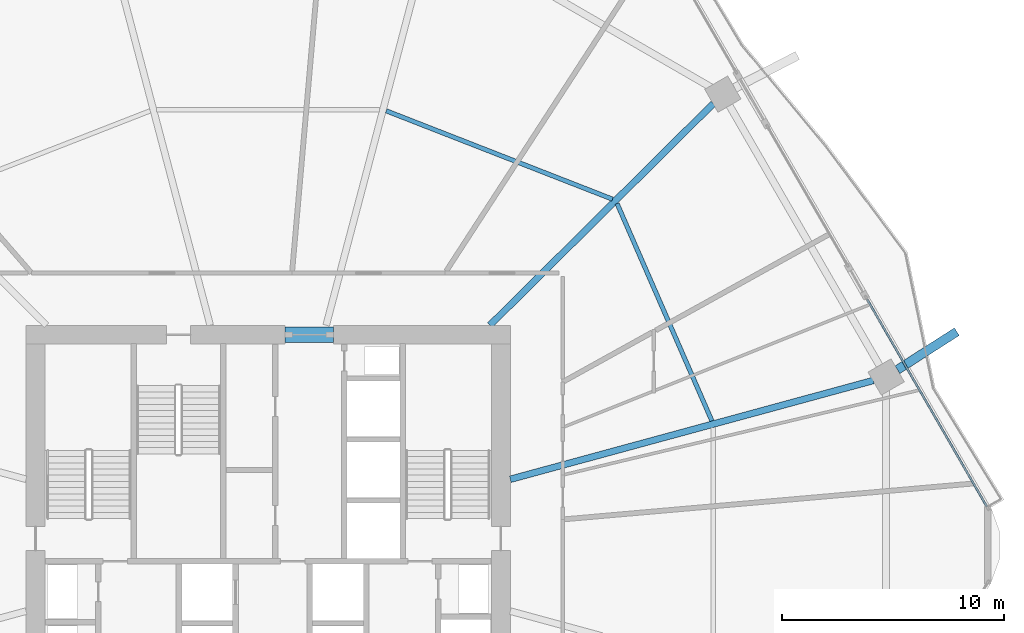
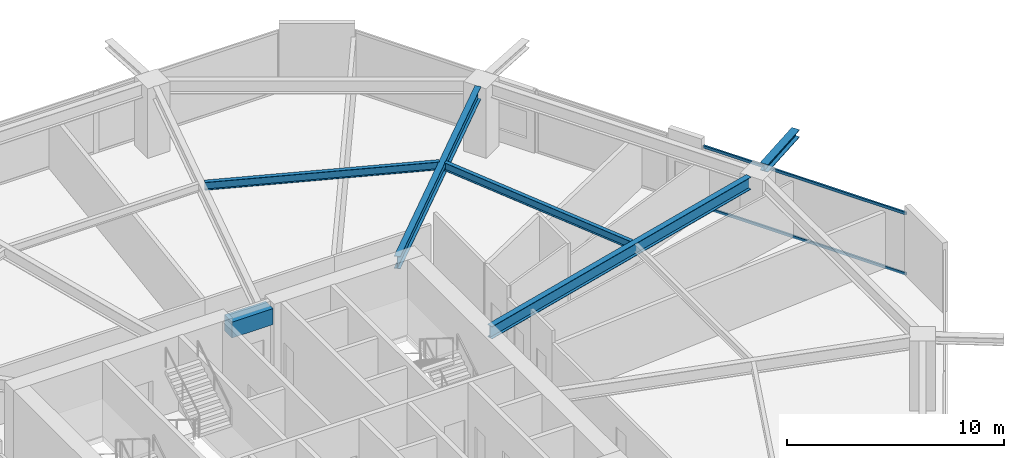
# One storey, part 16 of 27: 6 beams, 2 members, 1 element without a shape of its own.
"""IFC4 building model written with IfcOpenShell, lengths in metres."""

import ifcopenshell
import ifcopenshell.guid

model = None  # the IFC model being written
_history = None  # IfcOwnerHistory: only IFC2X3 demands one
_inside = {}  # id of a spatial element -> (the spatial element, [elements in it])
_under = {}  # id of a project, library or spatial element -> (it, [spatial elements below it])
_declared = {}  # id of a project -> (the project, [libraries it declares])
_typed = {}  # id of a type object -> (the type object, [elements of that type])
_made_of = {}  # id of a material, layer set ... -> (it, [elements and type objects made of it])


def new_model(schema):
    """Start an empty IFC model of exactly this schema.

    Asked for "IFC4X3", IfcOpenShell would pick the latest addendum, in which some entities
    have other attributes; the version numbers below select the first issue.
    IFC2X3 requires an IfcOwnerHistory on every rooted entity: one is made here for all.
    """
    global model, _history
    if schema == "IFC4X3":
        model = ifcopenshell.file(schema_version=(4, 3, 0, 0))
    else:
        model = ifcopenshell.file(schema=schema)
    _inside.clear()
    _under.clear()
    _declared.clear()
    _typed.clear()
    _made_of.clear()
    _history = None
    if model.schema == "IFC2X3":
        org = make("IfcOrganization", Name="unknown")
        user = make(
            "IfcPersonAndOrganization",
            ThePerson=make("IfcPerson", FamilyName="unknown"),
            TheOrganization=org,
        )
        app = make(
            "IfcApplication",
            ApplicationDeveloper=org,
            Version="unknown",
            ApplicationFullName="unknown",
            ApplicationIdentifier="unknown",
        )
        _history = make(
            "IfcOwnerHistory",
            OwningUser=user,
            OwningApplication=app,
            ChangeAction="ADDED",
            CreationDate=0,
        )
    return model


def make(cls, **values):
    """One entity of the class cls with the attributes given. An attribute that is None is left unset."""
    return model.create_entity(
        cls, **{name: value for name, value in values.items() if value is not None}
    )


def rooted(cls, **values):
    """An entity with a GlobalId (a new one), such as an element, a storey or a relation."""
    return make(cls, GlobalId=ifcopenshell.guid.new(), OwnerHistory=_history, **values)


def si_unit(unit_type, name, prefix=None):
    """IfcSIUnit, for example si_unit("LENGTHUNIT", "METRE", prefix="MILLI")."""
    return make("IfcSIUnit", UnitType=unit_type, Prefix=prefix, Name=name)


def assignment(units):
    """IfcUnitAssignment: the units of a project."""
    return None if units is None else make("IfcUnitAssignment", Units=units)


def point(xyz):
    """IfcCartesianPoint."""
    return None if xyz is None else make("IfcCartesianPoint", Coordinates=xyz)


def direction(xyz):
    """IfcDirection."""
    return None if xyz is None else make("IfcDirection", DirectionRatios=xyz)


def frame(location, z_axis=None, x_axis=None):
    """IfcAxis2Placement3D, a coordinate frame: its origin and axes. An axis left out is left unset."""
    return make(
        "IfcAxis2Placement3D",
        Location=point(location),
        Axis=direction(z_axis),
        RefDirection=direction(x_axis),
    )


def frame_2d(location, x_axis=None):
    """IfcAxis2Placement2D, a coordinate frame in the plane: its origin and x axis."""
    return make(
        "IfcAxis2Placement2D", Location=point(location), RefDirection=direction(x_axis)
    )


def origin():
    """The frame at (0, 0, 0) with its axes left unset."""
    return frame((0.0, 0.0, 0.0))


def origin_2d():
    """The frame at (0, 0) in the plane with its x axis left unset."""
    return frame_2d((0.0, 0.0))


def place(relative_to, where):
    """IfcLocalPlacement: puts the frame where relative to a parent placement (None: the world)."""
    return make(
        "IfcLocalPlacement", PlacementRelTo=relative_to, RelativePlacement=where
    )


def context(
    kind, dimensions, precision=None, world=None, true_north=None, identifier=None
):
    """IfcGeometricRepresentationContext, for example the 3D "Model" context."""
    return make(
        "IfcGeometricRepresentationContext",
        ContextIdentifier=identifier,
        ContextType=kind,
        CoordinateSpaceDimension=dimensions,
        Precision=precision,
        WorldCoordinateSystem=world,
        TrueNorth=true_north,
    )


def subcontext(parent, identifier, kind, view, scale=None):
    """IfcGeometricRepresentationSubContext, for example "Body" below "Model"."""
    return make(
        "IfcGeometricRepresentationSubContext",
        ContextIdentifier=identifier,
        ContextType=kind,
        ParentContext=parent,
        TargetScale=scale,
        TargetView=view,
    )


def project(units=None, contexts=None):
    """IfcProject with its units and contexts."""
    return rooted(
        "IfcProject",
        Name="project",
        RepresentationContexts=contexts,
        UnitsInContext=assignment(units),
    )


def spatial(cls, under=None, at=None, **own):
    """A site, building, storey or space (cls), placed at a placement, below another one or the project."""
    s = rooted(cls, ObjectPlacement=at, **own)
    if under is not None:
        _under.setdefault(under.id(), (under, []))[1].append(s)
    return s


def profile(cls, at=None, kind="AREA", **sizes):
    """A parametric profile (cls). Its sizes go by their IFC names, for example OverallWidth=200.0."""
    return make(cls, ProfileType=kind, Position=at, **sizes)


def rectangle(**sizes):
    """IfcRectangleProfileDef."""
    return profile("IfcRectangleProfileDef", **sizes)


def hollow_rectangle(**sizes):
    """IfcRectangleHollowProfileDef."""
    return profile("IfcRectangleHollowProfileDef", **sizes)


def i_section(**sizes):
    """IfcIShapeProfileDef."""
    return profile("IfcIShapeProfileDef", **sizes)


def extrude(swept, where, along, depth):
    """IfcExtrudedAreaSolid: the profile swept, set in the frame where, extruded along a direction by depth."""
    return make(
        "IfcExtrudedAreaSolid",
        SweptArea=swept,
        Position=where,
        ExtrudedDirection=direction(along),
        Depth=depth,
    )


def shape(context_of_items, identifier, shape_type, items):
    """IfcShapeRepresentation: the items that make up one representation, for example the "Body"."""
    return make(
        "IfcShapeRepresentation",
        ContextOfItems=context_of_items,
        RepresentationIdentifier=identifier,
        RepresentationType=shape_type,
        Items=items,
    )


def material(Name=None, Category=None):
    """IfcMaterial."""
    return make("IfcMaterial", Name=Name, Category=Category)


def material_profile(
    of_material, cross_section, Name=None, Category=None, Priority=None
):
    """IfcMaterialProfile: a cross section and its material."""
    return make(
        "IfcMaterialProfile",
        Name=Name,
        Material=of_material,
        Profile=cross_section,
        Priority=Priority,
        Category=Category,
    )


def profile_set(profiles, Name=None, composite=None):
    """IfcMaterialProfileSet."""
    return make(
        "IfcMaterialProfileSet",
        Name=Name,
        MaterialProfiles=profiles,
        CompositeProfile=composite,
    )


def made_of(thing, what):
    """Note that an element or type object is made of a material, layer set ...; save() writes the relation."""
    if what is not None:
        _made_of.setdefault(what.id(), (what, []))[1].append(thing)
    return thing


def type_object(cls, material=None, **own):
    """A type object (cls), such as IfcWallType, which elements share."""
    return made_of(rooted(cls, **own), material)


def element(
    cls,
    number,
    at=None,
    inside=None,
    cuts=None,
    type_object=None,
    material=None,
    context=None,
    identifier="Body",
    shape_type=None,
    held_by="IfcProductDefinitionShape",
    body=None,
    shapes=None,
    **own,
):
    """One element of the class cls, such as IfcWall. Its Tag is "e" and its number.

    at: its placement. inside: the storey or other place that contains it. cuts: it is an
    opening in that element (IfcRelVoidsElement). A single representation is given by context,
    identifier, shape_type and body (its items); several are given by shapes. held_by: the class
    of the entity that holds the representations. save() writes the other relations.
    """
    e = rooted(cls, Tag="e%d" % number, ObjectPlacement=at, **own)
    if body is not None:
        shapes = [shape(context, identifier, shape_type, body)]
    if shapes is not None:
        e.Representation = make(held_by, Representations=shapes)
    if inside is not None:
        _inside.setdefault(inside.id(), (inside, []))[1].append(e)
    if cuts is not None:
        rooted(
            "IfcRelVoidsElement", RelatingBuildingElement=cuts, RelatedOpeningElement=e
        )
    if type_object is not None:
        _typed.setdefault(type_object.id(), (type_object, []))[1].append(e)
    return made_of(e, material)


def aggregate(whole, parts):
    """IfcRelAggregates: a whole, such as a stair, and the parts it consists of."""
    return rooted("IfcRelAggregates", RelatingObject=whole, RelatedObjects=parts)


def save(model, path):
    """Write the relations noted so far, then the file.

    IfcRelAggregates (storeys below a building ...), IfcRelContainedInSpatialStructure (elements
    in a storey), IfcRelDefinesByType, IfcRelAssociatesMaterial and IfcRelDeclares: one each for
    every whole, place, type object, material and project.
    """
    for whole, parts in _under.values():
        aggregate(whole, parts)
    for where, things in _inside.values():
        rooted(
            "IfcRelContainedInSpatialStructure",
            RelatedElements=things,
            RelatingStructure=where,
        )
    for kind, things in _typed.values():
        rooted("IfcRelDefinesByType", RelatedObjects=things, RelatingType=kind)
    for what, things in _made_of.values():
        rooted("IfcRelAssociatesMaterial", RelatedObjects=things, RelatingMaterial=what)
    for by, libraries in _declared.values():
        rooted("IfcRelDeclares", RelatingContext=by, RelatedDefinitions=libraries)
    model.write(path)


model = new_model("IFC4")

# Units and contexts
model_context = context("Model", 3, precision=1e-05, world=origin(), true_north=direction((0.0, 1.0)))
body_context = subcontext(model_context, "Body", "Model", "MODEL_VIEW")
ifc_project = project(units=[si_unit("LENGTHUNIT", "METRE"), si_unit("AREAUNIT", "SQUARE_METRE"), si_unit("VOLUMEUNIT", "CUBIC_METRE"), si_unit("PLANEANGLEUNIT", "RADIAN"), si_unit("MASSUNIT", "GRAM", prefix="KILO")], contexts=[model_context])

# Site, building, storey
site_placement = place(None, origin())
site = spatial("IfcSite", under=ifc_project, at=site_placement, CompositionType="ELEMENT")
building_placement = place(site_placement, origin())
building = spatial("IfcBuilding", under=site, at=building_placement, Name="Zuhravey Tower", CompositionType="ELEMENT")
storey_placement = place(building_placement, frame((0.0, 0.0, 12.0)))
storey = spatial("IfcBuildingStorey", under=building, at=storey_placement, Name="L03", CompositionType="ELEMENT", Elevation=12.0)

# Beam
ifc_material_1 = material(Name="Concrete C60/75", Category="concrete")
ifc_material_profile_1 = material_profile(ifc_material_1, rectangle(XDim=0.699951171875, YDim=0.89990234375, at=origin_2d()), Name="RC-700x900")
ifc_profile_set_1 = profile_set([ifc_material_profile_1], Name="Concrete C60/75")
beam_type_1 = type_object("IfcBeamType", Name="Core Coupling Beam RC700x900", PredefinedType="LINTEL", material=ifc_profile_set_1)
beam_1_placement = place(storey_placement, frame((36.751953125, 41.5, 3.469970703125), z_axis=(1.0, 0.0, 0.0), x_axis=(0.0, 1.0, 0.0)))
element("IfcBeam", 1, at=beam_1_placement, inside=storey, type_object=beam_type_1, Name="L03 CB1 BM-L03-CB-N", PredefinedType="LINTEL", context=body_context, shape_type="SweptSolid", body=[
    extrude(rectangle(XDim=0.699951171875, YDim=0.89990234375, at=origin_2d()), origin(), (0.0, 0.0, 1.0), 2.196044921875),
])

# Curtain wall, members
ifc_material_2 = material(Name="Thermally broken anodised aluminium", Category="aluminium")
curtain_wall_type = type_object("IfcCurtainWallType", Name="School Low-E Unitised Curtain Wall CW1", PredefinedType="NOTDEFINED", material=ifc_material_2)
curtain_wall_placement = place(storey_placement, origin())
curtain_wall = element("IfcCurtainWall", 2, at=curtain_wall_placement, inside=storey, type_object=curtain_wall_type, Name="L03 CW1 CW-L03-F1-3", PredefinedType="NOTDEFINED")
ifc_material_3 = material(Name="Anodised aluminium", Category="aluminium")
ifc_material_profile_2 = material_profile(ifc_material_3, hollow_rectangle(XDim=0.090087890625, YDim=0.14990234375, WallThickness=0.0048828125, at=origin_2d()), Name="ALU-RHS-90x150x5")
ifc_profile_set_2 = profile_set([ifc_material_profile_2], Name="Anodised aluminium")
member_type = type_object("IfcMemberType", Name="Curtain-Wall Transom 90x150", PredefinedType="USERDEFINED", material=ifc_profile_set_2)
member_1_placement = place(storey_placement, frame((63.031494140625, 43.096923828125, 0.044921875), z_axis=(0.500010648101, -0.866019256013, 0.0), x_axis=(0.866019256013, 0.500010648101, 0.0)))
member_1 = element("IfcMember", 3, at=member_1_placement, type_object=member_type, Name="CW1 transom 1.1", ObjectType="TRANSOM", PredefinedType="USERDEFINED", context=body_context, shape_type="SweptSolid", body=[
    extrude(hollow_rectangle(XDim=0.090087890625, YDim=0.14990234375, WallThickness=0.0048828125, at=origin_2d()), origin(), (0.0, 0.0, 1.0), 10.803955078125),
])
member_2_placement = place(storey_placement, frame((63.031494140625, 43.096923828125, 3.447021484375), z_axis=(0.500010648101, -0.866019256013, 0.0), x_axis=(0.866019256013, 0.500010648101, 0.0)))
member_2 = element("IfcMember", 4, at=member_2_placement, type_object=member_type, Name="CW1 transom 1.2", ObjectType="TRANSOM", PredefinedType="USERDEFINED", context=body_context, shape_type="SweptSolid", body=[
    extrude(hollow_rectangle(XDim=0.090087890625, YDim=0.14990234375, WallThickness=0.0048828125, at=origin_2d()), origin(), (0.0, 0.0, 1.0), 10.803955078125),
])
aggregate(curtain_wall, [member_1, member_2])

# Beams
ifc_material_4 = material(Name="Steel SM460", Category="steel")
ifc_material_profile_3 = material_profile(ifc_material_4, i_section(OverallWidth=0.406982421875, OverallDepth=0.427978515625, WebThickness=0.02001953125, FlangeThickness=0.034912109375, at=origin_2d()), Name="H-428x407x20x35")
ifc_profile_set_3 = profile_set([ifc_material_profile_3], Name="Steel SM460")
beam_type_2 = type_object("IfcBeamType", Name="Exoskeleton Node Tie Beam H428x407", PredefinedType="BEAM", material=ifc_profile_set_3)
beam_2_placement = place(storey_placement, frame((64.398193359375, 39.91796875, 3.7060546875), z_axis=(0.841939865808, 0.539571369109, 0.0), x_axis=(-0.539571369109, 0.841939865808, 0.0)))
element("IfcBeam", 5, at=beam_2_placement, inside=storey, type_object=beam_type_2, Name="L03 Exoskeleton Node Tie NT1-01", PredefinedType="BEAM", context=body_context, shape_type="SweptSolid", body=[
    extrude(i_section(OverallWidth=0.406982421875, OverallDepth=0.427978515625, WebThickness=0.02001953125, FlangeThickness=0.034912109375, at=origin_2d()), origin(), (0.0, 0.0, 1.0), 3.1845703125),
])
ifc_material_5 = material(Name="Steel SM355", Category="steel")
ifc_material_profile_4 = material_profile(ifc_material_5, i_section(OverallWidth=0.300048828125, OverallDepth=0.699951171875, WebThickness=0.012939453125, FlangeThickness=0.02392578125, at=origin_2d()), Name="H-700x300x13x24")
ifc_profile_set_4 = profile_set([ifc_material_profile_4], Name="Steel SM355")
beam_type_3 = type_object("IfcBeamType", Name="Radial Primary Girder H700x300", PredefinedType="BEAM", material=ifc_profile_set_4)
beam_3_placement = place(storey_placement, frame((46.927978515625, 34.974609375, 3.570068359375), z_axis=(0.964892480455, 0.26264520015, 0.0), x_axis=(-0.26264520015, 0.964892480455, 0.0)))
element("IfcBeam", 6, at=beam_3_placement, inside=storey, type_object=beam_type_3, Name="L03 RG1 BM-L03-RAD-01", PredefinedType="BEAM", context=body_context, shape_type="SweptSolid", body=[
    extrude(i_section(OverallWidth=0.300048828125, OverallDepth=0.699951171875, WebThickness=0.012939453125, FlangeThickness=0.02392578125, at=origin_2d()), origin(), (0.0, 0.0, 1.0), 16.975341796875),
])
beam_4_placement = place(storey_placement, frame((46.007080078125, 41.927978515625, 3.570068359375), z_axis=(0.709902823282, 0.704299639, 0.0), x_axis=(-0.704299639, 0.709902823282, 0.0)))
element("IfcBeam", 7, at=beam_4_placement, inside=storey, type_object=beam_type_3, Name="L03 RG1 BM-L03-RAD-02", PredefinedType="BEAM", context=body_context, shape_type="SweptSolid", body=[
    extrude(i_section(OverallWidth=0.300048828125, OverallDepth=0.699951171875, WebThickness=0.012939453125, FlangeThickness=0.02392578125, at=origin_2d()), origin(), (0.0, 0.0, 1.0), 14.204345703125),
])
ifc_material_profile_5 = material_profile(ifc_material_5, i_section(OverallWidth=0.199951171875, OverallDepth=0.449951171875, WebThickness=0.009033203125, FlangeThickness=0.013916015625, at=origin_2d()), Name="H-450x200x9x14")
ifc_profile_set_5 = profile_set([ifc_material_profile_5], Name="Steel SM355")
beam_type_4 = type_object("IfcBeamType", Name="Secondary Floor Joist H450x200", PredefinedType="JOIST", material=ifc_profile_set_5)
beam_5_placement = place(storey_placement, frame((56.025390625, 37.60888671875, 3.695068359375), z_axis=(-0.399923551578, 0.916548500022, 0.0), x_axis=(-0.916548500022, -0.399923551578, 0.0)))
element("IfcBeam", 8, at=beam_5_placement, inside=storey, type_object=beam_type_4, Name="L03 SJ1 BM-L03-SJ-01-1", PredefinedType="JOIST", context=body_context, shape_type="SweptSolid", body=[
    extrude(i_section(OverallWidth=0.199951171875, OverallDepth=0.449951171875, WebThickness=0.009033203125, FlangeThickness=0.013916015625, at=origin_2d()), origin(), (0.0, 0.0, 1.0), 10.70263671875),
])
beam_6_placement = place(storey_placement, frame((51.5400390625, 47.61572265625, 3.695068359375), z_axis=(-0.931516535886, 0.363698973562, 0.0), x_axis=(-0.363698973562, -0.931516535886, 0.0)))
element("IfcBeam", 9, at=beam_6_placement, inside=storey, type_object=beam_type_4, Name="L03 SJ1 BM-L03-SJ-02-1", PredefinedType="JOIST", context=body_context, shape_type="SweptSolid", body=[
    extrude(i_section(OverallWidth=0.199951171875, OverallDepth=0.449951171875, WebThickness=0.009033203125, FlangeThickness=0.013916015625, at=origin_2d()), origin(), (0.0, 0.0, 1.0), 10.963134765625),
])

save(model, "model.ifc")
